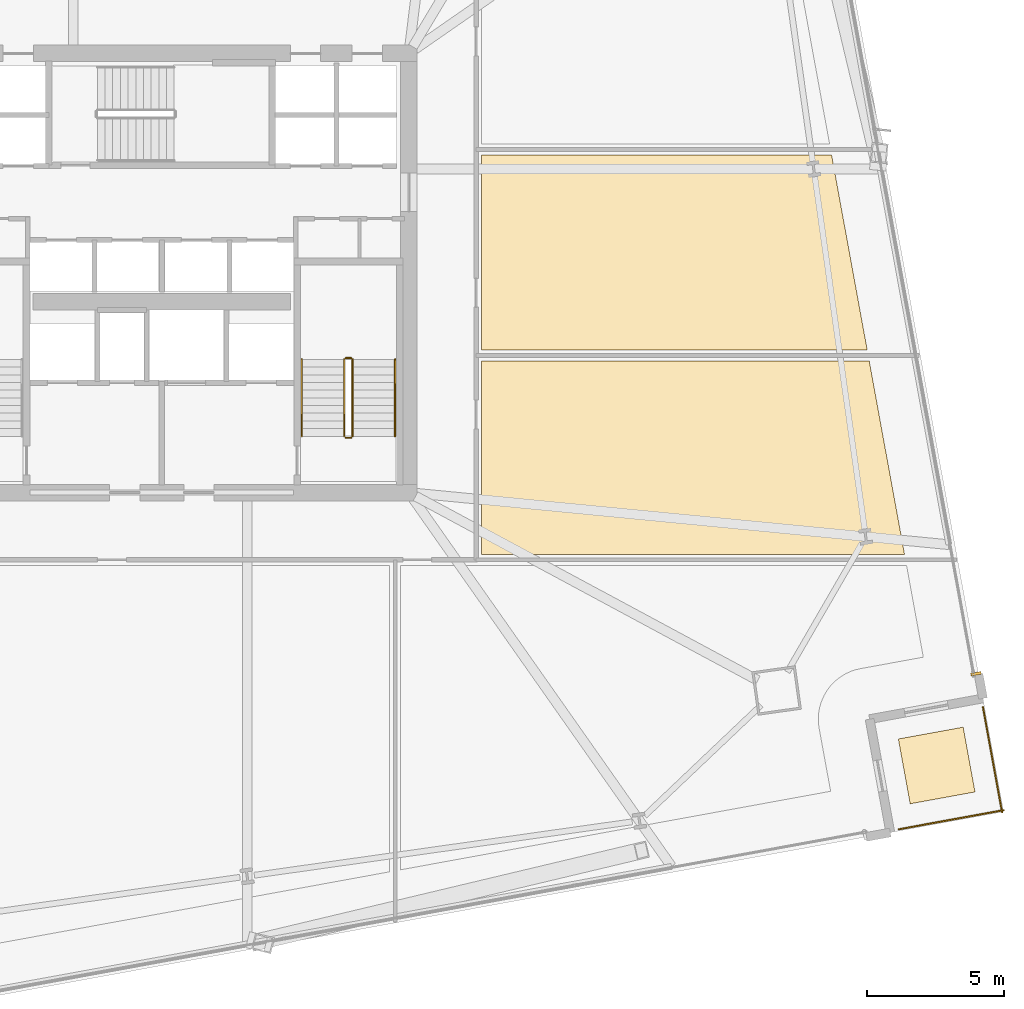
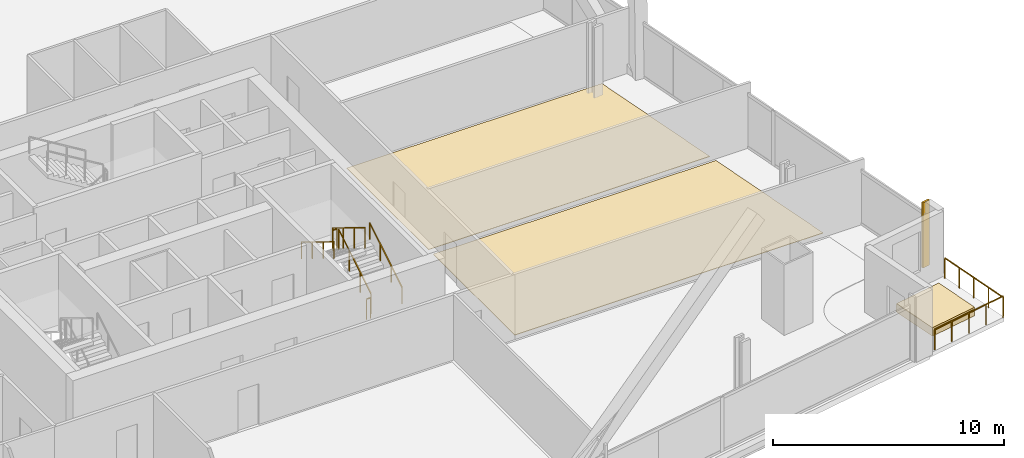
# One storey, part 32 of 34: 8 railings, 4 coverings.
"""IFC4 building model written with IfcOpenShell, lengths in metres."""

from ifc_helpers import new_model, si_unit, direction, frame, origin, origin_2d, place, context, subcontext, project, spatial, polyline, rectangle, outline, extrude, source, transform, mapped, material, layer, layer_set, type_object, element, save


model = new_model("IFC4")

# Units and contexts
model_context = context("Model", 3, precision=1e-05, world=origin(), true_north=direction((0.0, 1.0)))
body_context = subcontext(model_context, "Body", "Model", "MODEL_VIEW")
ifc_project = project(units=[si_unit("LENGTHUNIT", "METRE"), si_unit("AREAUNIT", "SQUARE_METRE"), si_unit("VOLUMEUNIT", "CUBIC_METRE"), si_unit("PLANEANGLEUNIT", "RADIAN"), si_unit("MASSUNIT", "GRAM", prefix="KILO")], contexts=[model_context])

# Site, building, storey
site_placement = place(None, origin())
site = spatial("IfcSite", under=ifc_project, at=site_placement, CompositionType="ELEMENT")
building_placement = place(site_placement, origin())
building = spatial("IfcBuilding", under=site, at=building_placement, Name="Haldenkirk Collegiate Tower", CompositionType="ELEMENT")
storey_placement = place(building_placement, frame((0.0, 0.0, 62.699951171875)))
storey = spatial("IfcBuildingStorey", under=building, at=storey_placement, Name="L14", CompositionType="ELEMENT", Elevation=62.699951171875)

# Coverings
ifc_material_1 = material(Name="Polished collegiate terrazzo", Category="concrete")
ifc_layer_1 = layer(ifc_material_1, 0.02490234375)
ifc_layer_set_1 = layer_set([ifc_layer_1], Name="Polished collegiate terrazzo")
covering_type_1 = type_object("IfcCoveringType", Name="COV-FLOOR-TERRAZZO", PredefinedType="FLOORING", material=ifc_layer_set_1)
covering_1_placement = place(storey_placement, origin())
element("IfcCovering", 1, at=covering_1_placement, inside=storey, type_object=covering_type_1, Name="L14 academic room finish 10", PredefinedType="FLOORING", context=body_context, shape_type="SweptSolid", body=[
    extrude(outline(polyline([(63.06201171875, 15.75), (47.64990234375, 15.75), (47.64990234375, 22.800048828125), (61.7744140625, 22.800048828125), (63.06201171875, 15.75)])), origin(), (0.0, 0.0, 1.0), 0.025146484375),
])
ifc_material_2 = material(Name="Engineered collegiate oak acoustic flooring", Category="wood")
ifc_layer_2 = layer(ifc_material_2, 0.02197265625)
ifc_layer_set_2 = layer_set([ifc_layer_2], Name="Engineered collegiate oak acoustic flooring")
covering_type_2 = type_object("IfcCoveringType", Name="COV-FLOOR-TIMBER", PredefinedType="FLOORING", material=ifc_layer_set_2)
covering_2_placement = place(storey_placement, origin())
element("IfcCovering", 2, at=covering_2_placement, inside=storey, type_object=covering_type_2, Name="L14 academic room finish 11", PredefinedType="FLOORING", context=body_context, shape_type="SweptSolid", body=[
    extrude(outline(polyline([(61.701416015625, 23.199951171875), (47.64990234375, 23.199951171875), (47.64990234375, 30.300048828125), (60.404541015625, 30.300048828125), (61.701416015625, 23.199951171875)])), origin(), (0.0, 0.0, 1.0), 0.02197265625),
])
ifc_material_3 = material(Name="Precast concrete f'c 40 MPa", Category="concrete")
ifc_layer_3 = layer(ifc_material_3, 0.449951171875)
ifc_layer_set_3 = layer_set([ifc_layer_3], Name="Precast concrete f'c 40 MPa")
covering_type_3 = type_object("IfcCoveringType", Name="COV-PLANTER-450", PredefinedType="USERDEFINED", material=ifc_layer_set_3)
covering_3_placement = place(storey_placement, origin())
element("IfcCovering", 3, at=covering_3_placement, inside=storey, type_object=covering_type_3, Name="L14 planted garden planter bed", ObjectType="PLANTER", PredefinedType="USERDEFINED", context=body_context, shape_type="SweptSolid", body=[
    extrude(outline(polyline([(63.2685546875, 6.659423828125), (62.83740234375, 9.020263671875), (65.1982421875, 9.451416015625), (65.62939453125, 7.090576171875), (63.2685546875, 6.659423828125)])), origin(), (0.0, 0.0, 1.0), 0.449951171875),
])

# Railings
ifc_material_4 = material(Name="Painted architectural tubular steel", Category="steel")
railing_type_1 = type_object("IfcRailingType", Name="RLG-STAIR-GUARD-1100", PredefinedType="BALUSTRADE", material=ifc_material_4)
railing_1_placement = place(storey_placement, frame((42.949951171875, 20.050048828125, 0.17041015625)))
element("IfcRailing", 4, at=railing_1_placement, inside=storey, type_object=railing_type_1, Name="L14 ST-2 stair guard 1", PredefinedType="BALUSTRADE", context=body_context, shape_type="SweptSolid", body=[
    extrude(rectangle(XDim=0.048095703125, YDim=0.048095703125, at=origin_2d()), frame((0.0, 0.0, 1.076171875), z_axis=(0.0, 0.854169791009, 0.51999420009), x_axis=(-1.0, 0.0, 0.0)), (0.0, 0.0, 1.0), 3.278076171875),
    extrude(rectangle(XDim=0.0419921875, YDim=0.0419921875, at=origin_2d()), origin(), (0.0, 0.0, 1.0), 1.052001953125),
    extrude(rectangle(XDim=0.0419921875, YDim=0.0419921875, at=origin_2d()), frame((0.0, 0.933349609375, 0.568115234375)), (0.0, 0.0, 1.0), 1.052001953125),
    extrude(rectangle(XDim=0.0419921875, YDim=0.0419921875, at=origin_2d()), frame((0.0, 1.86669921875, 1.136474609375)), (0.0, 0.0, 1.0), 1.052001953125),
    extrude(rectangle(XDim=0.0419921875, YDim=0.0419921875, at=origin_2d()), frame((0.0, 2.800048828125, 1.70458984375)), (0.0, 0.0, 1.0), 1.052001953125),
])
railing_2_placement = place(storey_placement, frame((42.89990234375, 22.89990234375, 1.875)))
element("IfcRailing", 5, at=railing_2_placement, inside=storey, type_object=railing_type_1, Name="L14 ST-2 stair guard 2", PredefinedType="BALUSTRADE", context=body_context, shape_type="SweptSolid", body=[
    extrude(rectangle(XDim=0.048095703125, YDim=0.048095703125, at=origin_2d()), frame((0.0, 0.0, 1.076171875), z_axis=(-1.0, 0.0, 0.0), x_axis=(0.0, -1.0, 0.0)), (0.0, 0.0, 1.0), 0.199951171875),
    extrude(rectangle(XDim=0.0419921875, YDim=0.0419921875, at=origin_2d()), origin(), (0.0, 0.0, 1.0), 1.052001953125),
    extrude(rectangle(XDim=0.0419921875, YDim=0.0419921875, at=origin_2d()), frame((-0.199951171875, 0.0, 0.0)), (0.0, 0.0, 1.0), 1.052001953125),
])
railing_3_placement = place(storey_placement, frame((42.64990234375, 22.85009765625, 2.04541015625)))
element("IfcRailing", 6, at=railing_3_placement, inside=storey, type_object=railing_type_1, Name="L14 ST-2 stair guard 3", PredefinedType="BALUSTRADE", context=body_context, shape_type="SweptSolid", body=[
    extrude(rectangle(XDim=0.048095703125, YDim=0.048095703125, at=origin_2d()), frame((0.0, 0.0, 1.076171875), z_axis=(0.0, -0.854169791009, 0.51999420009), x_axis=(1.0, 0.0, 0.0)), (0.0, 0.0, 1.0), 3.278076171875),
    extrude(rectangle(XDim=0.0419921875, YDim=0.0419921875, at=origin_2d()), origin(), (0.0, 0.0, 1.0), 1.052001953125),
    extrude(rectangle(XDim=0.0419921875, YDim=0.0419921875, at=origin_2d()), frame((0.0, -0.933349609375, 0.568115234375)), (0.0, 0.0, 1.0), 1.052001953125),
    extrude(rectangle(XDim=0.0419921875, YDim=0.0419921875, at=origin_2d()), frame((0.0, -1.86669921875, 1.136474609375)), (0.0, 0.0, 1.0), 1.052001953125),
    extrude(rectangle(XDim=0.0419921875, YDim=0.0419921875, at=origin_2d()), frame((0.0, -2.800048828125, 1.70458984375)), (0.0, 0.0, 1.0), 1.052001953125),
])
railing_4_placement = place(storey_placement, frame((42.89990234375, 20.0, 0.0)))
element("IfcRailing", 7, at=railing_4_placement, inside=storey, type_object=railing_type_1, Name="L14 ST-2 stair guard 4", PredefinedType="BALUSTRADE", context=body_context, shape_type="SweptSolid", body=[
    extrude(rectangle(XDim=0.048095703125, YDim=0.048095703125, at=origin_2d()), frame((0.0, 0.0, 1.076171875), z_axis=(-1.0, 0.0, 0.0), x_axis=(0.0, -1.0, 0.0)), (0.0, 0.0, 1.0), 0.199951171875),
    extrude(rectangle(XDim=0.0419921875, YDim=0.0419921875, at=origin_2d()), origin(), (0.0, 0.0, 1.0), 1.052001953125),
    extrude(rectangle(XDim=0.0419921875, YDim=0.0419921875, at=origin_2d()), frame((-0.199951171875, 0.0, 0.0)), (0.0, 0.0, 1.0), 1.052001953125),
])
railing_type_2 = type_object("IfcRailingType", Name="RLG-STAIR-HANDRAIL-900", PredefinedType="HANDRAIL", material=ifc_material_4)
railing_5_placement = place(storey_placement, frame((44.5, 20.050048828125, 0.17041015625)))
element("IfcRailing", 8, at=railing_5_placement, inside=storey, type_object=railing_type_2, Name="L14 ST-2 stair handrail 1", PredefinedType="HANDRAIL", context=body_context, shape_type="SweptSolid", body=[
    extrude(rectangle(XDim=0.048095703125, YDim=0.048095703125, at=origin_2d()), frame((0.0, 0.0, 0.8759765625), z_axis=(0.0, 0.854169791009, 0.51999420009), x_axis=(-1.0, 0.0, 0.0)), (0.0, 0.0, 1.0), 3.278076171875),
    extrude(rectangle(XDim=0.0419921875, YDim=0.0419921875, at=origin_2d()), origin(), (0.0, 0.0, 1.0), 0.851806640625),
    extrude(rectangle(XDim=0.0419921875, YDim=0.0419921875, at=origin_2d()), frame((0.0, 0.933349609375, 0.568115234375)), (0.0, 0.0, 1.0), 0.851806640625),
    extrude(rectangle(XDim=0.0419921875, YDim=0.0419921875, at=origin_2d()), frame((0.0, 1.86669921875, 1.136474609375)), (0.0, 0.0, 1.0), 0.851806640625),
    extrude(rectangle(XDim=0.0419921875, YDim=0.0419921875, at=origin_2d()), frame((0.0, 2.800048828125, 1.70458984375)), (0.0, 0.0, 1.0), 0.851806640625),
])
railing_6_placement = place(storey_placement, frame((41.10009765625, 22.85009765625, 2.04541015625)))
element("IfcRailing", 9, at=railing_6_placement, inside=storey, type_object=railing_type_2, Name="L14 ST-2 stair handrail 2", PredefinedType="HANDRAIL", context=body_context, shape_type="SweptSolid", body=[
    extrude(rectangle(XDim=0.048095703125, YDim=0.048095703125, at=origin_2d()), frame((0.0, 0.0, 0.8759765625), z_axis=(0.0, -0.854169791009, 0.51999420009), x_axis=(1.0, 0.0, 0.0)), (0.0, 0.0, 1.0), 3.278076171875),
    extrude(rectangle(XDim=0.0419921875, YDim=0.0419921875, at=origin_2d()), origin(), (0.0, 0.0, 1.0), 0.851806640625),
    extrude(rectangle(XDim=0.0419921875, YDim=0.0419921875, at=origin_2d()), frame((0.0, -0.933349609375, 0.568115234375)), (0.0, 0.0, 1.0), 0.851806640625),
    extrude(rectangle(XDim=0.0419921875, YDim=0.0419921875, at=origin_2d()), frame((0.0, -1.86669921875, 1.136474609375)), (0.0, 0.0, 1.0), 0.851806640625),
    extrude(rectangle(XDim=0.0419921875, YDim=0.0419921875, at=origin_2d()), frame((0.0, -2.800048828125, 1.70458984375)), (0.0, 0.0, 1.0), 0.851806640625),
])
ifc_material_5 = material(Name="Anodised architectural bronze aluminium", Category="aluminium")
railing_type_3 = type_object("IfcRailingType", Name="RLG-TERR-BALUSTRADE-1100", PredefinedType="BALUSTRADE", material=ifc_material_5)
railing_7_placement = place(storey_placement, frame((62.848876953125, 5.728759765625, 0.0)))
element("IfcRailing", 10, at=railing_7_placement, inside=storey, type_object=railing_type_3, Name="L14 terrace guard balustrade 1-1", PredefinedType="BALUSTRADE", context=body_context, shape_type="SweptSolid", body=[
    extrude(rectangle(XDim=0.048095703125, YDim=0.048095703125, at=origin_2d()), frame((0.0, 0.0, 1.076171875), z_axis=(0.98372966052, 0.179655100159, 0.0), x_axis=(-0.179655100159, 0.98372966052, 0.0)), (0.0, 0.0, 1.0), 3.8798828125),
    extrude(rectangle(XDim=0.0419921875, YDim=0.0419921875, at=origin_2d()), origin(), (0.0, 0.0, 1.0), 1.052001953125),
    extrude(rectangle(XDim=0.0419921875, YDim=0.0419921875, at=origin_2d()), frame((0.9541015625, 0.17431640625, 0.0)), (0.0, 0.0, 1.0), 1.052001953125),
    extrude(rectangle(XDim=0.0419921875, YDim=0.0419921875, at=origin_2d()), frame((1.908203125, 0.3486328125, 0.0)), (0.0, 0.0, 1.0), 1.052001953125),
    extrude(rectangle(XDim=0.0419921875, YDim=0.0419921875, at=origin_2d()), frame((2.862548828125, 0.522705078125, 0.0)), (0.0, 0.0, 1.0), 1.052001953125),
    extrude(rectangle(XDim=0.0419921875, YDim=0.0419921875, at=origin_2d()), frame((3.816650390625, 0.697021484375, 0.0)), (0.0, 0.0, 1.0), 1.052001953125),
])
railing_8_placement = place(storey_placement, frame((66.617431640625, 6.356201171875, 0.0)))
element("IfcRailing", 11, at=railing_8_placement, inside=storey, type_object=railing_type_3, Name="L14 terrace guard balustrade 2-1", PredefinedType="BALUSTRADE", context=body_context, shape_type="SweptSolid", body=[
    extrude(rectangle(XDim=0.048095703125, YDim=0.048095703125, at=origin_2d()), frame((0.0, 0.0, 1.076171875), z_axis=(-0.17964397971, 0.983731691344, 0.0), x_axis=(-0.983731691344, -0.17964397971, 0.0)), (0.0, 0.0, 1.0), 3.880126953125),
    extrude(rectangle(XDim=0.0419921875, YDim=0.0419921875, at=origin_2d()), origin(), (0.0, 0.0, 1.0), 1.052001953125),
    extrude(rectangle(XDim=0.0419921875, YDim=0.0419921875, at=origin_2d()), frame((-0.17431640625, 0.9541015625, 0.0)), (0.0, 0.0, 1.0), 1.052001953125),
    extrude(rectangle(XDim=0.0419921875, YDim=0.0419921875, at=origin_2d()), frame((-0.3486328125, 1.908447265625, 0.0)), (0.0, 0.0, 1.0), 1.052001953125),
    extrude(rectangle(XDim=0.0419921875, YDim=0.0419921875, at=origin_2d()), frame((-0.522705078125, 2.86279296875, 0.0)), (0.0, 0.0, 1.0), 1.052001953125),
    extrude(rectangle(XDim=0.0419921875, YDim=0.0419921875, at=origin_2d()), frame((-0.697021484375, 3.81689453125, 0.0)), (0.0, 0.0, 1.0), 1.052001953125),
])

# Covering
ifc_layer_4 = layer(ifc_material_5, 0.06005859375)
ifc_layer_set_4 = layer_set([ifc_layer_4], Name="Anodised architectural bronze aluminium")
covering_type_4 = type_object("IfcCoveringType", Name="COV-CLAD-BRONZE-60", PredefinedType="CLADDING", material=ifc_layer_set_4)
shared_shape = source(origin(), body_context, "Body", "SweptSolid", [
    extrude(rectangle(XDim=0.10009765625, YDim=0.3798828125, at=origin_2d()), origin(), (0.0, 0.0, 1.0), 3.43994140625),
])
covering_4_placement = place(storey_placement, frame((65.666259765625, 11.397216796875, 0.0), z_axis=(0.0, 0.0, 1.0), x_axis=(0.179660748593, -0.98372862895, 0.0)))
element("IfcCovering", 12, at=covering_4_placement, inside=storey, type_object=covering_type_4, Name="L14 recessed curtain-wall bronze jamb closure EJR", PredefinedType="CLADDING", context=body_context, shape_type="MappedRepresentation", body=[
    mapped(shared_shape, transform((0.0, 0.0, 0.0), x_axis=(1.0, 0.0, 0.0), y_axis=(0.0, 1.0, 0.0), z_axis=(0.0, 0.0, 1.0), scale=1.0)),
])

save(model, "model.ifc")
